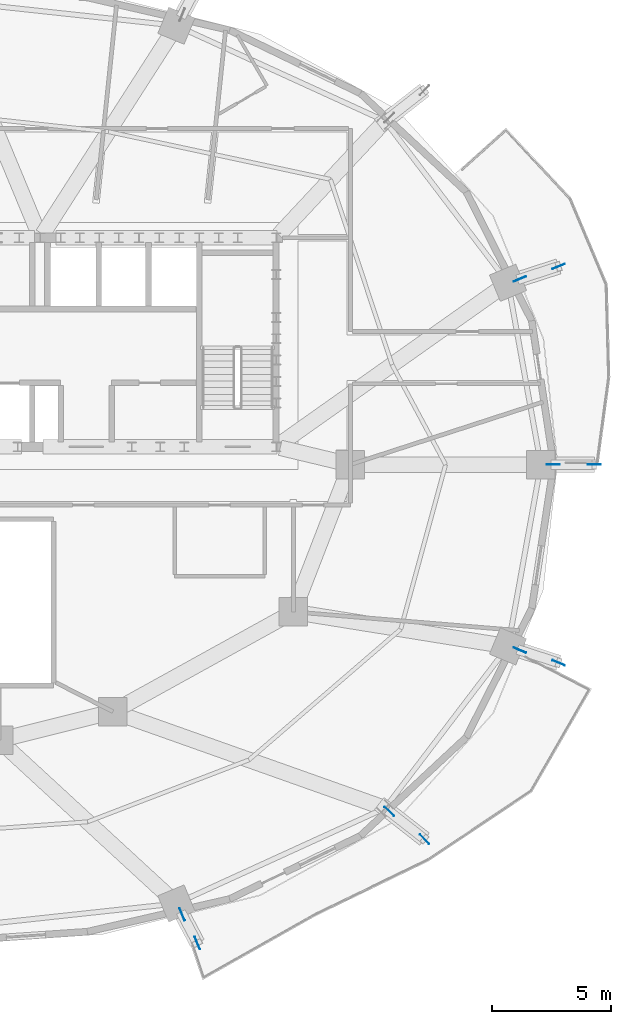
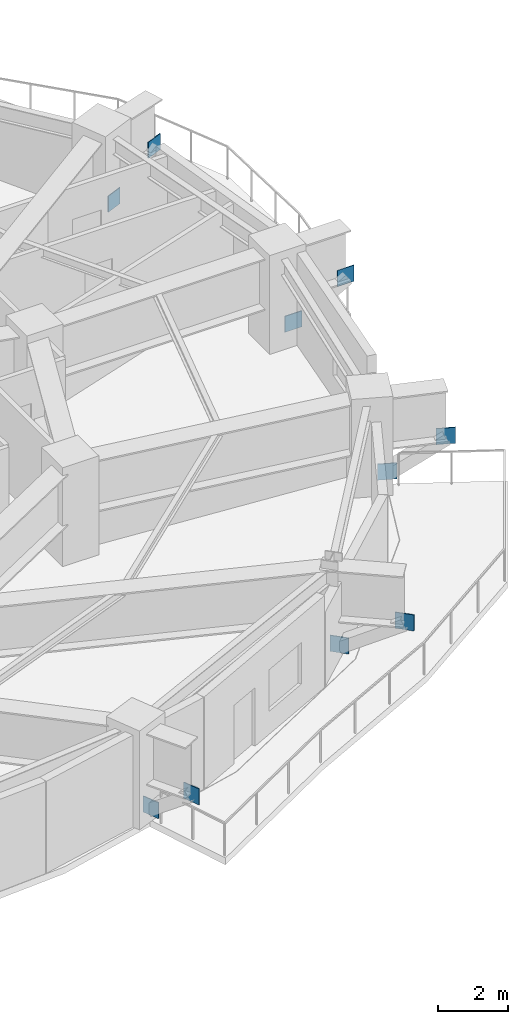
# One storey, part 5 of 14: 10 plates.
"""IFC4 building model written with IfcOpenShell, lengths in metres."""

from ifc_helpers import new_model, si_unit, direction, frame, origin, origin_2d, place, context, subcontext, project, spatial, rectangle, extrude, material, layer, layer_set, type_object, element, save


model = new_model("IFC4")

# Units and contexts
model_context = context("Model", 3, precision=1e-05, world=origin(), true_north=direction((0.0, 1.0)))
body_context = subcontext(model_context, "Body", "Model", "MODEL_VIEW")
ifc_project = project(units=[si_unit("LENGTHUNIT", "METRE"), si_unit("AREAUNIT", "SQUARE_METRE"), si_unit("VOLUMEUNIT", "CUBIC_METRE"), si_unit("PLANEANGLEUNIT", "RADIAN"), si_unit("MASSUNIT", "GRAM", prefix="KILO")], contexts=[model_context])

# Site, building, storey
site_placement = place(None, origin())
site = spatial("IfcSite", under=ifc_project, at=site_placement, CompositionType="ELEMENT")
building_placement = place(site_placement, origin())
building = spatial("IfcBuilding", under=site, at=building_placement, Name="Haldorwick Loom Tower", CompositionType="ELEMENT")
storey_placement = place(building_placement, frame((0.0, 0.0, 182.050048828125)))
storey = spatial("IfcBuildingStorey", under=building, at=storey_placement, Name="L49", CompositionType="ELEMENT", Elevation=182.050048828125)

# Plates
ifc_material = material(Name="Steel CSA G40.21 350W", Category="steel")
ifc_layer = layer(ifc_material, 0.028076171875, Name="Steel CSA G40.21 350W", Category="steel")
ifc_layer_set = layer_set([ifc_layer], Name="Steel CSA G40.21 350W")
plate_type = type_object("IfcPlateType", Name="STR-PLT-GUS28", PredefinedType="SHEET", material=ifc_layer_set)
for number, where, z_axis, x_axis, name in (
    (1, (61.737060546875, 26.0, 0.119873046875), (0.0, 0.0, 1.0), (1.0, 0.0, 0.0), "L49 Truss Node Gusset Plate PLT-L49-FGUS-00B"),
    (2, (63.46630859375, 26.0, 1.10986328125), (0.0, 0.0, 1.0), (1.0, 0.0, 0.0), "L49 Truss Node Gusset Plate PLT-L49-FGUS-00T"),
    (3, (60.330810546875, 33.81396484375, 0.119873046875), (0.0, 0.0, 1.0), (0.923879532511, 0.382683432365, 0.0), "L49 Truss Node Gusset Plate PLT-L49-FGUS-01B"),
    (4, (61.9609375, 34.342529296875, 1.10986328125), (0.0, 0.0, 1.0), (0.923879532511, 0.382683432365, 0.0), "L49 Truss Node Gusset Plate PLT-L49-FGUS-01T"),
    (5, (46.116455078125, 7.062744140625, 0.119873046875), (0.0, 0.0, 1.0), (0.382683432365, -0.923879532511, 0.0), "L49 Truss Node Gusset Plate PLT-L49-FGUS-13B"),
    (6, (46.75341796875, 5.859375, 1.10986328125), (0.0, 0.0, 1.0), (0.382683432365, -0.923879532511, 0.0), "L49 Truss Node Gusset Plate PLT-L49-FGUS-13T"),
    (7, (54.832763671875, 11.397216796875, 0.119873046875), (0.0, 0.0, 1.0), (0.707106781187, -0.707106781187, 0.0), "L49 Truss Node Gusset Plate PLT-L49-FGUS-14B"),
    (8, (56.317626953125, 10.235107421875, 1.10986328125), (0.0, 0.0, 1.0), (0.707106781187, -0.707106781187, 0.0), "L49 Truss Node Gusset Plate PLT-L49-FGUS-14T"),
    (9, (60.330810546875, 18.18603515625, 0.119873046875), (0.0, 0.0, 1.0), (0.923879532511, -0.382683432365, 0.0), "L49 Truss Node Gusset Plate PLT-L49-FGUS-15B"),
    (10, (61.9609375, 17.657470703125, 1.10986328125), (0.0, 0.0, 1.0), (0.923879532511, -0.382683432365, 0.0), "L49 Truss Node Gusset Plate PLT-L49-FGUS-15T"),
):
    element("IfcPlate", number, at=place(storey_placement, frame(where, z_axis=z_axis, x_axis=x_axis)), inside=storey, type_object=plate_type, Name=name, PredefinedType="SHEET", context=body_context, shape_type="SweptSolid", body=[
        extrude(rectangle(XDim=0.56005859375, YDim=0.028076171875, at=origin_2d()), origin(), (0.0, 0.0, 1.0), 0.56005859375),
    ])

save(model, "model.ifc")
